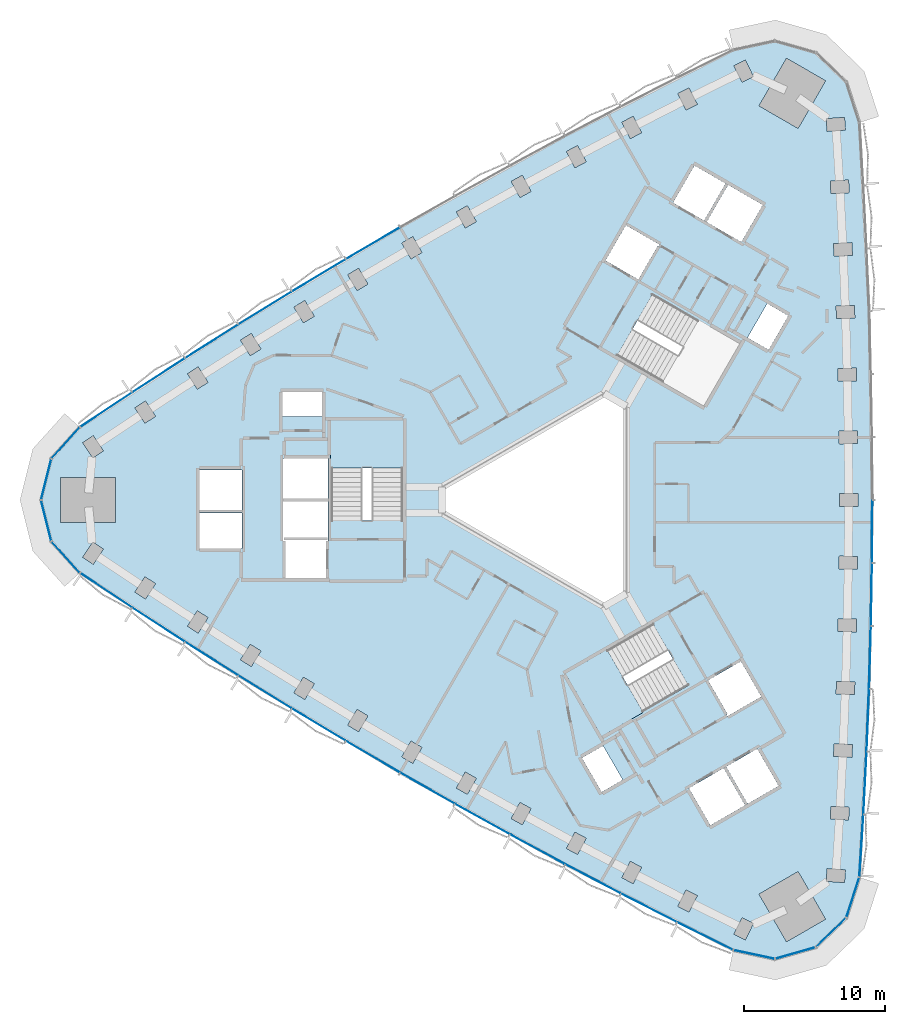
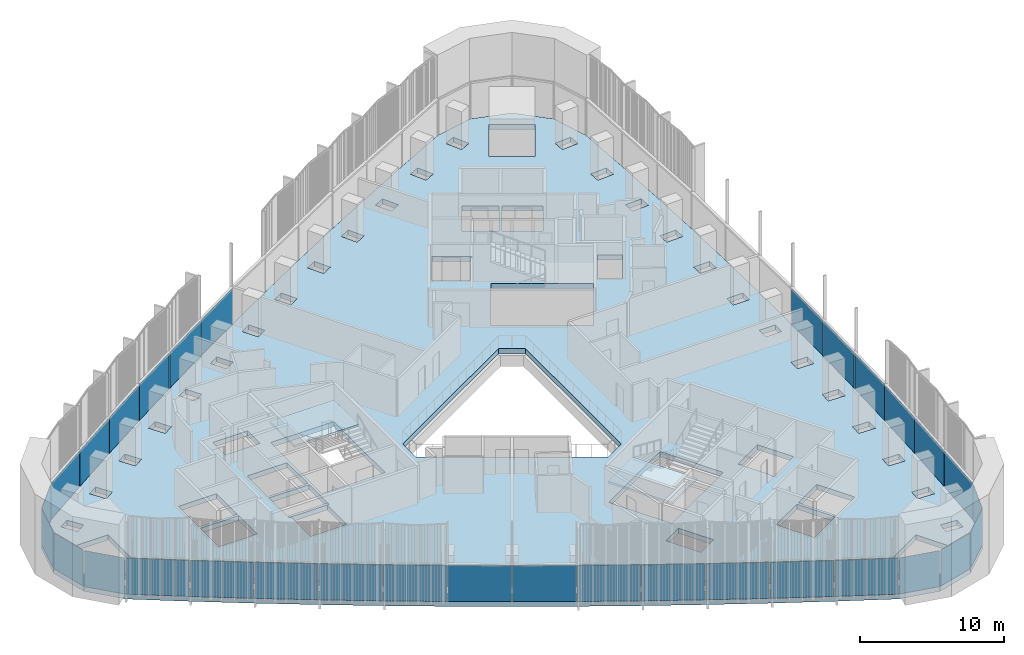
# One storey, part 6 of 15: 32 plates, 3 slabs, 5 elements without a shape of their own.
"""IFC4 building model written with IfcOpenShell, lengths in metres."""

from ifc_helpers import new_model, si_unit, direction, frame, origin, origin_2d, place, context, subcontext, project, spatial, polyline, rectangle, outline, extrude, material, layer, layer_set, type_object, element, aggregate, save


model = new_model("IFC4")

# Units and contexts
model_context = context("Model", 3, precision=1e-05, world=origin(), true_north=direction((0.0, 1.0)))
body_context = subcontext(model_context, "Body", "Model", "MODEL_VIEW")
ifc_project = project(units=[si_unit("LENGTHUNIT", "METRE"), si_unit("AREAUNIT", "SQUARE_METRE"), si_unit("VOLUMEUNIT", "CUBIC_METRE"), si_unit("PLANEANGLEUNIT", "RADIAN"), si_unit("MASSUNIT", "GRAM", prefix="KILO")], contexts=[model_context])

# Site, building, storey
site_placement = place(None, origin())
site = spatial("IfcSite", under=ifc_project, at=site_placement, CompositionType="ELEMENT")
building_placement = place(site_placement, origin())
building = spatial("IfcBuilding", under=site, at=building_placement, Name="Tamra Quay Hotel Tower", CompositionType="ELEMENT")
storey_placement = place(building_placement, frame((0.0, 0.0, 111.800048828125)))
storey = spatial("IfcBuildingStorey", under=building, at=storey_placement, Name="L27", CompositionType="ELEMENT", Elevation=111.800048828125)

# Stair, slab
ifc_material_1 = material(Name="Exit stair 2200 24 risers 150.0 going 342")
stair_type = type_object("IfcStairType", Name="Exit stair 2200 24 risers 150.0 going 342", PredefinedType="HALF_TURN_STAIR", material=ifc_material_1)
stair_1_placement = place(storey_placement, origin())
stair_1 = element("IfcStair", 1, at=stair_1_placement, inside=storey, type_object=stair_type, Name="L27 Exit stair ST3", PredefinedType="HALF_TURN_STAIR")
ifc_material_2 = material(Name="Concrete M70", Category="concrete")
ifc_layer_1 = layer(ifc_material_2, 0.175048828125)
ifc_layer_set_1 = layer_set([ifc_layer_1], Name="Concrete M70 stair landing 180")
slab_type_1 = type_object("IfcSlabType", Name="Concrete M70 stair landing 180", PredefinedType="LANDING", material=ifc_layer_set_1)
slab_1_placement = place(storey_placement, frame((0.0, 0.0, 1.625)))
slab_1 = element("IfcSlab", 2, at=slab_1_placement, type_object=slab_type_1, Name="ST3 landing 1", PredefinedType="LANDING", context=body_context, shape_type="SweptSolid", body=[
    extrude(outline(polyline([(-10.932373046875, 2.261962890625), (-10.932373046875, 5.679931640625), (-16.09130859375, 5.679931640625), (-16.09130859375, 2.261962890625), (-10.932373046875, 2.261962890625)])), origin(), (0.0, 0.0, 1.0), 0.175048828125),
])
aggregate(stair_1, [slab_1])

stair_2_placement = place(storey_placement, origin())
stair_2 = element("IfcStair", 3, at=stair_2_placement, inside=storey, type_object=stair_type, Name="L27 Exit stair ST2", PredefinedType="HALF_TURN_STAIR")
slab_2_placement = place(storey_placement, frame((0.0, 0.0, 1.625)))
slab_2 = element("IfcSlab", 4, at=slab_2_placement, type_object=slab_type_1, Name="ST2 landing 1", PredefinedType="LANDING", context=body_context, shape_type="SweptSolid", body=[
    extrude(outline(polyline([(3.50732421875, -10.5986328125), (0.547119140625, -12.3076171875), (3.126708984375, -16.775390625), (6.086669921875, -15.06640625), (3.50732421875, -10.5986328125)])), origin(), (0.0, 0.0, 1.0), 0.175048828125),
])
aggregate(stair_2, [slab_2])

# Slab
ifc_material_3 = material(Name="Concrete M60", Category="concrete")
ifc_layer_2 = layer(ifc_material_3, 0.425048828125)
ifc_layer_set_2 = layer_set([ifc_layer_2], Name="FLOOR SLAB PT 425")
slab_type_2 = type_object("IfcSlabType", Name="FLOOR SLAB PT 425", PredefinedType="FLOOR", material=ifc_layer_set_2)
slab_3_placement = place(storey_placement, frame((0.0, 0.0, -0.425048828125)))
element("IfcSlab", 5, at=slab_3_placement, inside=storey, type_object=slab_type_2, Name="SLAB-L27", PredefinedType="FLOOR", context=body_context, shape_type="SweptSolid", body=[
    extrude(outline(polyline([(21.696044921875, 22.307861328125), (21.92529296875, 17.849853515625), (22.103515625, 13.389404296875), (22.23095703125, 8.92724609375), (22.3076171875, 4.4638671875), (22.3330078125, 0.0), (22.3076171875, -4.4638671875), (22.23095703125, -8.92724609375), (22.103515625, -13.389404296875), (21.92529296875, -17.849853515625), (21.696044921875, -22.307861328125), (21.41650390625, -26.762451171875), (20.48779296875, -29.6328125), (18.31884765625, -31.729248046875), (15.418701171875, -32.559326171875), (12.46875, -31.928466796875), (8.47119140625, -29.943359375), (4.49560546875, -27.91259765625), (0.543701171875, -25.8369140625), (-3.38427734375, -23.71630859375), (-7.287841796875, -21.55078125), (-11.16650390625, -19.3408203125), (-15.01953125, -17.0869140625), (-18.8466796875, -14.7890625), (-22.647216796875, -12.447509765625), (-26.4208984375, -10.06298828125), (-30.167236328125, -7.635498046875), (-33.88525390625, -5.166015625), (-35.906494140625, -2.9267578125), (-36.6376953125, 0.0), (-35.906494140625, 2.9267578125), (-33.88525390625, 5.166015625), (-30.167236328125, 7.635498046875), (-26.4208984375, 10.06298828125), (-22.647216796875, 12.447509765625), (-18.8466796875, 14.7890625), (-15.01953125, 17.0869140625), (-11.16650390625, 19.3408203125), (-7.287841796875, 21.55078125), (-3.38427734375, 23.71630859375), (0.543701171875, 25.8369140625), (4.49560546875, 27.91259765625), (8.47119140625, 29.943359375), (12.46875, 31.928466796875), (15.418701171875, 32.559326171875), (18.31884765625, 31.729248046875), (20.48779296875, 29.6328125), (21.41650390625, 26.762451171875), (21.696044921875, 22.307861328125)]), holes=[polyline([(-14.884521484375, -15.9765625), (-14.1103515625, -16.435302734375), (-13.447509765625, -15.317138671875), (-14.2216796875, -14.858154296875), (-14.884521484375, -15.9765625)]), polyline([(-18.0234375, -12.569580078125), (-18.698974609375, -13.680419921875), (-17.929931640625, -14.14794921875), (-17.25439453125, -13.037353515625), (-18.0234375, -12.569580078125)]), polyline([(-21.798583984375, -10.23779296875), (-22.487060546875, -11.340576171875), (-21.723388671875, -11.817138671875), (-21.03515625, -10.714111328125), (-21.798583984375, -10.23779296875)]), polyline([(-25.547119140625, -7.86279296875), (-26.248046875, -8.9580078125), (-25.489990234375, -9.443115234375), (-24.789306640625, -8.34814453125), (-25.547119140625, -7.86279296875)]), polyline([(-29.268310546875, -5.445556640625), (-29.981689453125, -6.532470703125), (-29.229248046875, -7.026123046875), (-28.51611328125, -5.939453125), (-29.268310546875, -5.445556640625)]), polyline([(-16.3173828125, -2.85498046875), (-19.4072265625, -2.85498046875), (-19.4072265625, -2.89306640625), (-19.307373046875, -2.89306640625), (-19.307373046875, -5.544921875), (-16.417236328125, -5.544921875), (-16.417236328125, -2.89306640625), (-16.3173828125, -2.89306640625), (-16.3173828125, -2.85498046875)]), polyline([(-32.96240234375, -2.986083984375), (-33.6875, -4.06494140625), (-32.9404296875, -4.56689453125), (-32.215576171875, -3.488037109375), (-32.96240234375, -2.986083984375)]), polyline([(-22.3671875, -3.445068359375), (-22.3671875, -0.905029296875), (-25.4072265625, -0.905029296875), (-25.4072265625, -3.445068359375), (-22.3671875, -3.445068359375)]), polyline([(-19.417236328125, -2.89306640625), (-19.417236328125, -2.64501953125), (-16.307373046875, -2.64501953125), (-16.307373046875, -2.89306640625), (-16.26708984375, -2.89306640625), (-16.26708984375, -0.10498046875), (-19.45751953125, -0.10498046875), (-19.45751953125, -2.89306640625), (-19.417236328125, -2.89306640625)]), polyline([(-31.36376953125, 1.60009765625), (-35.263671875, 1.60009765625), (-35.263671875, -1.60009765625), (-31.36376953125, -1.60009765625), (-31.36376953125, 1.60009765625)]), polyline([(-25.4072265625, -0.695068359375), (-22.3671875, -0.695068359375), (-22.3671875, 2.14501953125), (-25.4072265625, 2.14501953125), (-25.4072265625, -0.695068359375)]), polyline([(-19.45751953125, 0.10498046875), (-16.26708984375, 0.10498046875), (-16.26708984375, 2.945068359375), (-19.45751953125, 2.945068359375), (-19.45751953125, 0.10498046875)]), polyline([(-16.036376953125, -1.455078125), (-10.9873046875, -1.455078125), (-10.9873046875, 5.625), (-16.036376953125, 5.625), (-16.036376953125, -1.455078125)]), polyline([(-32.215576171875, 3.488037109375), (-32.9404296875, 4.56689453125), (-33.6875, 4.06494140625), (-32.96240234375, 2.986083984375), (-32.215576171875, 3.488037109375)]), polyline([(-28.51611328125, 5.939453125), (-29.229248046875, 7.026123046875), (-29.981689453125, 6.532470703125), (-29.268310546875, 5.445556640625), (-28.51611328125, 5.939453125)]), polyline([(-19.50732421875, 7.64501953125), (-19.50732421875, 5.9150390625), (-16.71728515625, 5.9150390625), (-16.71728515625, 7.64501953125), (-19.50732421875, 7.64501953125)]), polyline([(-24.789306640625, 8.34814453125), (-25.489990234375, 9.443115234375), (-26.248046875, 8.9580078125), (-25.547119140625, 7.86279296875), (-24.789306640625, 8.34814453125)]), polyline([(-21.03515625, 10.714111328125), (-21.723388671875, 11.817138671875), (-22.487060546875, 11.340576171875), (-21.798583984375, 10.23779296875), (-21.03515625, 10.714111328125)]), polyline([(-17.25439453125, 13.037353515625), (-17.929931640625, 14.14794921875), (-18.698974609375, 13.680419921875), (-18.0234375, 12.569580078125), (-17.25439453125, 13.037353515625)]), polyline([(-13.447509765625, 15.317138671875), (-14.1103515625, 16.435302734375), (-14.884521484375, 15.9765625), (-14.2216796875, 14.858154296875), (-13.447509765625, 15.317138671875)]), polyline([(9.1142578125, -27.665283203125), (8.52978515625, -28.826416015625), (9.33349609375, -29.231201171875), (9.918212890625, -28.070068359375), (9.1142578125, -27.665283203125)]), polyline([(5.164794921875, -25.64208984375), (4.567138671875, -26.79638671875), (5.3662109375, -27.210205078125), (5.964111328125, -26.055908203125), (5.164794921875, -25.64208984375)]), polyline([(1.23876953125, -23.57421875), (0.627685546875, -24.721435546875), (1.422119140625, -25.14453125), (2.033203125, -23.9970703125), (1.23876953125, -23.57421875)]), polyline([(-2.663330078125, -21.46142578125), (-3.28759765625, -22.601806640625), (-2.498046875, -23.033935546875), (-1.873779296875, -21.8935546875), (-2.663330078125, -21.46142578125)]), polyline([(13.3056640625, -21.65576171875), (11.78564453125, -19.02294921875), (9.325927734375, -20.443115234375), (10.845947265625, -23.075927734375), (13.3056640625, -21.65576171875)]), polyline([(-6.541259765625, -19.304443359375), (-7.17822265625, -20.437744140625), (-6.393798828125, -20.878662109375), (-5.756591796875, -19.74560546875), (-6.541259765625, -19.304443359375)]), polyline([(1.73779296875, -18.300048828125), (3.1328125, -20.71630859375), (4.631103515625, -19.851318359375), (3.236083984375, -17.43505859375), (1.73779296875, -18.300048828125)]), polyline([(-10.394287109375, -17.103271484375), (-11.044189453125, -18.22900390625), (-10.264892578125, -18.67919921875), (-9.61474609375, -17.55322265625), (-10.394287109375, -17.103271484375)]), polyline([(10.68115234375, -12.790283203125), (12.05615234375, -15.171875), (11.969482421875, -15.2216796875), (12.03955078125, -15.343017578125), (14.455810546875, -13.947998046875), (13.0107421875, -11.4453125), (10.68115234375, -12.790283203125)]), polyline([(9.2783203125, -13.160400390625), (6.75390625, -8.78759765625), (0.622314453125, -12.32763671875), (3.146728515625, -16.7001953125), (9.2783203125, -13.160400390625)]), polyline([(-8.199951171875, 0.923828125), (-8.199951171875, -0.923828125), (3.300048828125, -7.563232421875), (4.89990234375, -6.639404296875), (4.89990234375, 6.639404296875), (3.300048828125, 7.563232421875), (-8.199951171875, 0.923828125)]), polyline([(6.758056640625, 14.615478515625), (4.2333984375, 10.242919921875), (10.364990234375, 6.702880859375), (12.889404296875, 11.075439453125), (6.758056640625, 14.615478515625)]), polyline([(5.736083984375, 15.645263671875), (7.111083984375, 18.02685546875), (7.19775390625, 17.976806640625), (7.267578125, 18.09814453125), (4.8515625, 19.4931640625), (3.406494140625, 16.990234375), (5.736083984375, 15.645263671875)]), polyline([(-9.61474609375, 17.55322265625), (-10.264892578125, 18.67919921875), (-11.044189453125, 18.22900390625), (-10.394287109375, 17.103271484375), (-9.61474609375, 17.55322265625)]), polyline([(-5.756591796875, 19.74560546875), (-6.393798828125, 20.878662109375), (-7.17822265625, 20.437744140625), (-6.541259765625, 19.304443359375), (-5.756591796875, 19.74560546875)]), polyline([(8.2001953125, 21.093017578125), (10.39990234375, 19.822998046875), (11.919921875, 22.455810546875), (9.72021484375, 23.725830078125), (8.2001953125, 21.093017578125)]), polyline([(-1.873779296875, 21.8935546875), (-2.498046875, 23.033935546875), (-3.28759765625, 22.601806640625), (-2.663330078125, 21.46142578125), (-1.873779296875, 21.8935546875)]), polyline([(2.033203125, 23.9970703125), (1.422119140625, 25.14453125), (0.627685546875, 24.721435546875), (1.23876953125, 23.57421875), (2.033203125, 23.9970703125)]), polyline([(5.964111328125, 26.055908203125), (5.3662109375, 27.210205078125), (4.567138671875, 26.79638671875), (5.164794921875, 25.64208984375), (5.964111328125, 26.055908203125)]), polyline([(9.918212890625, 28.070068359375), (9.33349609375, 29.231201171875), (8.52978515625, 28.826416015625), (9.1142578125, 27.665283203125), (9.918212890625, 28.070068359375)]), polyline([(13.0869140625, -29.643310546875), (12.51513671875, -30.810791015625), (13.323486328125, -31.206787109375), (13.895263671875, -30.039306640625), (13.0869140625, -29.643310546875)]), polyline([(14.296142578125, -27.9619140625), (16.24609375, -31.339111328125), (19.017333984375, -29.7392578125), (17.0673828125, -26.36181640625), (14.296142578125, -27.9619140625)]), polyline([(19.067138671875, -27.05322265625), (20.3642578125, -27.141845703125), (20.42529296875, -26.243896484375), (19.12841796875, -26.155517578125), (19.067138671875, -27.05322265625)]), polyline([(19.350341796875, -22.624267578125), (20.648193359375, -22.698486328125), (20.699462890625, -21.800048828125), (19.401611328125, -21.725830078125), (19.350341796875, -22.624267578125)]), polyline([(14.1669921875, -17.648193359375), (11.96728515625, -18.91796875), (13.487548828125, -21.55078125), (15.68701171875, -20.281005859375), (14.1669921875, -17.648193359375)]), polyline([(20.8818359375, -18.25244140625), (20.9228515625, -17.353515625), (19.624267578125, -17.2939453125), (19.5830078125, -18.193115234375), (20.8818359375, -18.25244140625)]), polyline([(19.765380859375, -13.75927734375), (21.064697265625, -13.803955078125), (21.095703125, -12.904541015625), (19.79638671875, -12.85986328125), (19.765380859375, -13.75927734375)]), polyline([(19.897216796875, -9.323974609375), (21.197021484375, -9.353759765625), (21.217529296875, -8.453857421875), (19.91796875, -8.424072265625), (19.897216796875, -9.323974609375)]), polyline([(19.978515625, -4.88720703125), (21.2783203125, -4.902099609375), (21.288818359375, -4.002197265625), (19.98876953125, -3.9873046875), (19.978515625, -4.88720703125)]), polyline([(20.009033203125, -0.449951171875), (21.30908203125, -0.449951171875), (21.30908203125, 0.449951171875), (20.009033203125, 0.449951171875), (20.009033203125, -0.449951171875)]), polyline([(19.98876953125, 3.9873046875), (21.288818359375, 4.002197265625), (21.2783203125, 4.902099609375), (19.978515625, 4.88720703125), (19.98876953125, 3.9873046875)]), polyline([(19.91796875, 8.424072265625), (21.217529296875, 8.453857421875), (21.197021484375, 9.353759765625), (19.897216796875, 9.323974609375), (19.91796875, 8.424072265625)]), polyline([(14.9794921875, 10.655029296875), (16.37451171875, 13.0712890625), (14.876220703125, 13.936279296875), (13.481201171875, 11.52001953125), (14.9794921875, 10.655029296875)]), polyline([(19.79638671875, 12.85986328125), (21.095703125, 12.904541015625), (21.064697265625, 13.803955078125), (19.765380859375, 13.75927734375), (19.79638671875, 12.85986328125)]), polyline([(19.624267578125, 17.2939453125), (20.9228515625, 17.353515625), (20.8818359375, 18.25244140625), (19.5830078125, 18.193115234375), (19.624267578125, 17.2939453125)]), polyline([(12.101806640625, 22.350830078125), (10.58154296875, 19.718017578125), (13.041259765625, 18.298095703125), (14.561279296875, 20.930908203125), (12.101806640625, 22.350830078125)]), polyline([(19.401611328125, 21.725830078125), (20.699462890625, 21.800048828125), (20.648193359375, 22.698486328125), (19.350341796875, 22.624267578125), (19.401611328125, 21.725830078125)]), polyline([(19.12841796875, 26.155517578125), (20.42529296875, 26.243896484375), (20.3642578125, 27.141845703125), (19.067138671875, 27.05322265625), (19.12841796875, 26.155517578125)]), polyline([(17.0673828125, 26.36181640625), (19.017333984375, 29.7392578125), (16.24609375, 31.339111328125), (14.296142578125, 27.9619140625), (17.0673828125, 26.36181640625)]), polyline([(13.895263671875, 30.039306640625), (13.323486328125, 31.206787109375), (12.51513671875, 30.810791015625), (13.0869140625, 29.643310546875), (13.895263671875, 30.039306640625)])]), origin(), (0.0, 0.0, 1.0), 0.425048828125),
])

# Curtain wall, plates
ifc_material_4 = material(Name="Aluminium 6063 anodised dark grey", Category="aluminium")
curtain_wall_type_1 = type_object("IfcCurtainWallType", Name="CW1 CURTAIN WALL", PredefinedType="NOTDEFINED", material=ifc_material_4)
curtain_wall_1_placement = place(storey_placement, origin())
curtain_wall_1 = element("IfcCurtainWall", 6, at=curtain_wall_1_placement, inside=storey, type_object=curtain_wall_type_1, Name="CW1 east face L27", PredefinedType="NOTDEFINED")
ifc_material_5 = material(Name="Glass clear laminated low-iron", Category="glass")
ifc_layer_3 = layer(ifc_material_5, 0.033935546875)
ifc_layer_set_3 = layer_set([ifc_layer_3], Name="GLASS PANEL CW1 Z2")
plate_type_1 = type_object("IfcPlateType", Name="GLASS PANEL CW1 Z2", PredefinedType="CURTAIN_PANEL", material=ifc_layer_set_3)
plate_1_placement = place(storey_placement, frame((21.556396484375, -24.53515625, 0.0), z_axis=(0.0, 0.0, 1.0), x_axis=(0.062670105733, 0.998034296929, 0.0)))
plate_1 = element("IfcPlate", 7, at=plate_1_placement, type_object=plate_type_1, Name="CW1 glass L27.E.1", PredefinedType="CURTAIN_PANEL", context=body_context, shape_type="SweptSolid", body=[
    extrude(rectangle(XDim=4.363525390625, YDim=0.033935546875, at=origin_2d()), origin(), (0.0, 0.0, 1.0), 3.034912109375),
])
plate_2_placement = place(storey_placement, frame((21.810791015625, -20.078857421875, 0.0), z_axis=(0.0, 0.0, 1.0), x_axis=(0.051320550821, 0.998682232276, 0.0)))
plate_2 = element("IfcPlate", 8, at=plate_2_placement, type_object=plate_type_1, Name="CW1 glass L27.E.2", PredefinedType="CURTAIN_PANEL", context=body_context, shape_type="SweptSolid", body=[
    extrude(rectangle(XDim=4.364013671875, YDim=0.033935546875, at=origin_2d()), origin(), (0.0, 0.0, 1.0), 3.034912109375),
])
plate_3_placement = place(storey_placement, frame((22.014404296875, -15.61962890625, 0.0), z_axis=(0.0, 0.0, 1.0), x_axis=(0.039943755239, 0.999201929751, 0.0)))
plate_3 = element("IfcPlate", 9, at=plate_3_placement, type_object=plate_type_1, Name="CW1 glass L27.E.3", PredefinedType="CURTAIN_PANEL", context=body_context, shape_type="SweptSolid", body=[
    extrude(rectangle(XDim=4.364013671875, YDim=0.033935546875, at=origin_2d()), origin(), (0.0, 0.0, 1.0), 3.034912109375),
])
plate_4_placement = place(storey_placement, frame((22.167236328125, -11.158203125, 0.0), z_axis=(0.0, 0.0, 1.0), x_axis=(0.028546238865, 0.999592473084, 0.0)))
plate_4 = element("IfcPlate", 10, at=plate_4_placement, type_object=plate_type_1, Name="CW1 glass L27.E.4", PredefinedType="CURTAIN_PANEL", context=body_context, shape_type="SweptSolid", body=[
    extrude(rectangle(XDim=4.364013671875, YDim=0.033935546875, at=origin_2d()), origin(), (0.0, 0.0, 1.0), 3.034912109375),
])
plate_5_placement = place(storey_placement, frame((22.269287109375, -6.695556640625, 0.0), z_axis=(0.0, 0.0, 1.0), x_axis=(0.017133900698, 0.999853203949, 0.0)))
plate_5 = element("IfcPlate", 11, at=plate_5_placement, type_object=plate_type_1, Name="CW1 glass L27.E.5", PredefinedType="CURTAIN_PANEL", context=body_context, shape_type="SweptSolid", body=[
    extrude(rectangle(XDim=4.364013671875, YDim=0.033935546875, at=origin_2d()), origin(), (0.0, 0.0, 1.0), 3.034912109375),
])
plate_6_placement = place(storey_placement, frame((22.3203125, -2.23193359375, 0.0), z_axis=(0.0, 0.0, 1.0), x_axis=(0.005712677225, 0.999983682526, 0.0)))
plate_6 = element("IfcPlate", 12, at=plate_6_placement, type_object=plate_type_1, Name="CW1 glass L27.E.6", PredefinedType="CURTAIN_PANEL", context=body_context, shape_type="SweptSolid", body=[
    extrude(rectangle(XDim=4.364013671875, YDim=0.033935546875, at=origin_2d()), origin(), (0.0, 0.0, 1.0), 3.034912109375),
])
aggregate(curtain_wall_1, [plate_1, plate_2, plate_3, plate_4, plate_5, plate_6])

curtain_wall_type_2 = type_object("IfcCurtainWallType", Name="CW2 CURTAIN WALL", PredefinedType="NOTDEFINED", material=ifc_material_4)
curtain_wall_2_placement = place(storey_placement, origin())
curtain_wall_2 = element("IfcCurtainWall", 13, at=curtain_wall_2_placement, inside=storey, type_object=curtain_wall_type_2, Name="CW2 north-west face L27", PredefinedType="NOTDEFINED")
ifc_layer_4 = layer(ifc_material_5, 0.033935546875)
ifc_layer_set_4 = layer_set([ifc_layer_4], Name="GLASS PANEL CW2 Z2")
plate_type_2 = type_object("IfcPlateType", Name="GLASS PANEL CW2 Z2", PredefinedType="CURTAIN_PANEL", material=ifc_layer_set_4)
plate_7_placement = place(storey_placement, frame((-13.093017578125, 18.2138671875, 0.0), z_axis=(0.0, 0.0, 1.0), x_axis=(-0.863154933825, -0.504939164863, 0.0)))
plate_7 = element("IfcPlate", 14, at=plate_7_placement, type_object=plate_type_2, Name="CW2 glass L27.NW.7", PredefinedType="CURTAIN_PANEL", context=body_context, shape_type="SweptSolid", body=[
    extrude(rectangle(XDim=4.364013671875, YDim=0.033935546875, at=origin_2d()), origin(), (0.0, 0.0, 1.0), 3.034912109375),
])
plate_8_placement = place(storey_placement, frame((-16.93310546875, 15.93798828125, 0.0), z_axis=(0.0, 0.0, 1.0), x_axis=(-0.857331324326, -0.514764995245, 0.0)))
plate_8 = element("IfcPlate", 15, at=plate_8_placement, type_object=plate_type_2, Name="CW2 glass L27.NW.8", PredefinedType="CURTAIN_PANEL", context=body_context, shape_type="SweptSolid", body=[
    extrude(rectangle(XDim=4.364013671875, YDim=0.033935546875, at=origin_2d()), origin(), (0.0, 0.0, 1.0), 3.034912109375),
])
plate_9_placement = place(storey_placement, frame((-20.7470703125, 13.6181640625, 0.0), z_axis=(0.0, 0.0, 1.0), x_axis=(-0.85139935569, -0.524518004582, 0.0)))
plate_9 = element("IfcPlate", 16, at=plate_9_placement, type_object=plate_type_2, Name="CW2 glass L27.NW.9", PredefinedType="CURTAIN_PANEL", context=body_context, shape_type="SweptSolid", body=[
    extrude(rectangle(XDim=4.364013671875, YDim=0.033935546875, at=origin_2d()), origin(), (0.0, 0.0, 1.0), 3.034912109375),
])
plate_10_placement = place(storey_placement, frame((-24.5341796875, 11.255126953125, 0.0), z_axis=(0.0, 0.0, 1.0), x_axis=(-0.845362377055, -0.534193271635, 0.0)))
plate_10 = element("IfcPlate", 17, at=plate_10_placement, type_object=plate_type_2, Name="CW2 glass L27.NW.10", PredefinedType="CURTAIN_PANEL", context=body_context, shape_type="SweptSolid", body=[
    extrude(rectangle(XDim=4.364013671875, YDim=0.033935546875, at=origin_2d()), origin(), (0.0, 0.0, 1.0), 3.034912109375),
])
plate_11_placement = place(storey_placement, frame((-28.294189453125, 8.84912109375, 0.0), z_axis=(0.0, 0.0, 1.0), x_axis=(-0.839223908048, -0.543786016885, 0.0)))
plate_11 = element("IfcPlate", 18, at=plate_11_placement, type_object=plate_type_2, Name="CW2 glass L27.NW.11", PredefinedType="CURTAIN_PANEL", context=body_context, shape_type="SweptSolid", body=[
    extrude(rectangle(XDim=4.364013671875, YDim=0.033935546875, at=origin_2d()), origin(), (0.0, 0.0, 1.0), 3.034912109375),
])
plate_12_placement = place(storey_placement, frame((-32.026123046875, 6.400634765625, 0.0), z_axis=(0.0, 0.0, 1.0), x_axis=(-0.832988002122, -0.553291052088, 0.0)))
plate_12 = element("IfcPlate", 19, at=plate_12_placement, type_object=plate_type_2, Name="CW2 glass L27.NW.12", PredefinedType="CURTAIN_PANEL", context=body_context, shape_type="SweptSolid", body=[
    extrude(rectangle(XDim=4.363525390625, YDim=0.033935546875, at=origin_2d()), origin(), (0.0, 0.0, 1.0), 3.034912109375),
])
plate_13_placement = place(storey_placement, frame((-34.89599609375, 4.04638671875, 0.0), z_axis=(0.0, 0.0, 1.0), x_axis=(-0.670087934649, -0.742281725383, 0.0)))
plate_13 = element("IfcPlate", 20, at=plate_13_placement, type_object=plate_type_2, Name="CW2 glass L27.NW.13", PredefinedType="CURTAIN_PANEL", context=body_context, shape_type="SweptSolid", body=[
    extrude(rectangle(XDim=2.916748046875, YDim=0.033935546875, at=origin_2d()), origin(), (0.0, 0.0, 1.0), 3.034912109375),
])
plate_14_placement = place(storey_placement, frame((-36.272216796875, 1.46337890625, 0.0), z_axis=(0.0, 0.0, 1.0), x_axis=(-0.242338764242, -0.970191694123, 0.0)))
plate_14 = element("IfcPlate", 21, at=plate_14_placement, type_object=plate_type_2, Name="CW2 glass L27.NW.14", PredefinedType="CURTAIN_PANEL", context=body_context, shape_type="SweptSolid", body=[
    extrude(rectangle(XDim=2.916748046875, YDim=0.033935546875, at=origin_2d()), origin(), (0.0, 0.0, 1.0), 3.034912109375),
])
plate_15_placement = place(storey_placement, frame((-36.272216796875, -1.46337890625, 0.0), z_axis=(0.0, 0.0, 1.0), x_axis=(0.242338764242, -0.970191694123, 0.0)))
plate_15 = element("IfcPlate", 22, at=plate_15_placement, type_object=plate_type_2, Name="CW2 glass L27.NW.15", PredefinedType="CURTAIN_PANEL", context=body_context, shape_type="SweptSolid", body=[
    extrude(rectangle(XDim=2.916748046875, YDim=0.033935546875, at=origin_2d()), origin(), (0.0, 0.0, 1.0), 3.034912109375),
])
plate_16_placement = place(storey_placement, frame((-34.89599609375, -4.04638671875, 0.0), z_axis=(0.0, 0.0, 1.0), x_axis=(0.670087934649, -0.742281725383, 0.0)))
plate_16 = element("IfcPlate", 23, at=plate_16_placement, type_object=plate_type_2, Name="CW2 glass L27.NW.16", PredefinedType="CURTAIN_PANEL", context=body_context, shape_type="SweptSolid", body=[
    extrude(rectangle(XDim=2.916748046875, YDim=0.033935546875, at=origin_2d()), origin(), (0.0, 0.0, 1.0), 3.034912109375),
])
aggregate(curtain_wall_2, [plate_7, plate_8, plate_9, plate_10, plate_11, plate_12, plate_13, plate_14, plate_15, plate_16])

curtain_wall_type_3 = type_object("IfcCurtainWallType", Name="CW3 CURTAIN WALL", PredefinedType="NOTDEFINED", material=ifc_material_4)
curtain_wall_3_placement = place(storey_placement, origin())
curtain_wall_3 = element("IfcCurtainWall", 24, at=curtain_wall_3_placement, inside=storey, type_object=curtain_wall_type_3, Name="CW3 south-west face L27", PredefinedType="NOTDEFINED")
ifc_layer_5 = layer(ifc_material_5, 0.033935546875)
ifc_layer_set_5 = layer_set([ifc_layer_5], Name="GLASS PANEL CW3 Z2")
plate_type_3 = type_object("IfcPlateType", Name="GLASS PANEL CW3 Z2", PredefinedType="CURTAIN_PANEL", material=ifc_layer_set_5)
plate_17_placement = place(storey_placement, frame((-32.026123046875, -6.400634765625, 0.0), z_axis=(0.0, 0.0, 1.0), x_axis=(0.832988002122, -0.553291052088, 0.0)))
plate_17 = element("IfcPlate", 25, at=plate_17_placement, type_object=plate_type_3, Name="CW3 glass L27.SW.1", PredefinedType="CURTAIN_PANEL", context=body_context, shape_type="SweptSolid", body=[
    extrude(rectangle(XDim=4.363525390625, YDim=0.033935546875, at=origin_2d()), origin(), (0.0, 0.0, 1.0), 3.034912109375),
])
plate_18_placement = place(storey_placement, frame((-28.294189453125, -8.84912109375, 0.0), z_axis=(0.0, 0.0, 1.0), x_axis=(0.839223908048, -0.543786016885, 0.0)))
plate_18 = element("IfcPlate", 26, at=plate_18_placement, type_object=plate_type_3, Name="CW3 glass L27.SW.2", PredefinedType="CURTAIN_PANEL", context=body_context, shape_type="SweptSolid", body=[
    extrude(rectangle(XDim=4.364013671875, YDim=0.033935546875, at=origin_2d()), origin(), (0.0, 0.0, 1.0), 3.034912109375),
])
plate_19_placement = place(storey_placement, frame((-24.5341796875, -11.255126953125, 0.0), z_axis=(0.0, 0.0, 1.0), x_axis=(0.845362377055, -0.534193271635, 0.0)))
plate_19 = element("IfcPlate", 27, at=plate_19_placement, type_object=plate_type_3, Name="CW3 glass L27.SW.3", PredefinedType="CURTAIN_PANEL", context=body_context, shape_type="SweptSolid", body=[
    extrude(rectangle(XDim=4.364013671875, YDim=0.033935546875, at=origin_2d()), origin(), (0.0, 0.0, 1.0), 3.034912109375),
])
plate_20_placement = place(storey_placement, frame((-20.7470703125, -13.6181640625, 0.0), z_axis=(0.0, 0.0, 1.0), x_axis=(0.85139935569, -0.524518004582, 0.0)))
plate_20 = element("IfcPlate", 28, at=plate_20_placement, type_object=plate_type_3, Name="CW3 glass L27.SW.4", PredefinedType="CURTAIN_PANEL", context=body_context, shape_type="SweptSolid", body=[
    extrude(rectangle(XDim=4.364013671875, YDim=0.033935546875, at=origin_2d()), origin(), (0.0, 0.0, 1.0), 3.034912109375),
])
plate_21_placement = place(storey_placement, frame((-16.93310546875, -15.93798828125, 0.0), z_axis=(0.0, 0.0, 1.0), x_axis=(0.857331324326, -0.514764995245, 0.0)))
plate_21 = element("IfcPlate", 29, at=plate_21_placement, type_object=plate_type_3, Name="CW3 glass L27.SW.5", PredefinedType="CURTAIN_PANEL", context=body_context, shape_type="SweptSolid", body=[
    extrude(rectangle(XDim=4.364013671875, YDim=0.033935546875, at=origin_2d()), origin(), (0.0, 0.0, 1.0), 3.034912109375),
])
plate_22_placement = place(storey_placement, frame((-13.093017578125, -18.2138671875, 0.0), z_axis=(0.0, 0.0, 1.0), x_axis=(0.863154933825, -0.504939164863, 0.0)))
plate_22 = element("IfcPlate", 30, at=plate_22_placement, type_object=plate_type_3, Name="CW3 glass L27.SW.6", PredefinedType="CURTAIN_PANEL", context=body_context, shape_type="SweptSolid", body=[
    extrude(rectangle(XDim=4.364013671875, YDim=0.033935546875, at=origin_2d()), origin(), (0.0, 0.0, 1.0), 3.034912109375),
])
plate_23_placement = place(storey_placement, frame((-9.227294921875, -20.44580078125, 0.0), z_axis=(0.0, 0.0, 1.0), x_axis=(0.86886761105, -0.495044517663, 0.0)))
plate_23 = element("IfcPlate", 31, at=plate_23_placement, type_object=plate_type_3, Name="CW3 glass L27.SW.7", PredefinedType="CURTAIN_PANEL", context=body_context, shape_type="SweptSolid", body=[
    extrude(rectangle(XDim=4.364013671875, YDim=0.033935546875, at=origin_2d()), origin(), (0.0, 0.0, 1.0), 3.034912109375),
])
plate_24_placement = place(storey_placement, frame((-5.336181640625, -22.633544921875, 0.0), z_axis=(0.0, 0.0, 1.0), x_axis=(0.874465225024, -0.485088208704, 0.0)))
plate_24 = element("IfcPlate", 32, at=plate_24_placement, type_object=plate_type_3, Name="CW3 glass L27.SW.8", PredefinedType="CURTAIN_PANEL", context=body_context, shape_type="SweptSolid", body=[
    extrude(rectangle(XDim=4.364013671875, YDim=0.033935546875, at=origin_2d()), origin(), (0.0, 0.0, 1.0), 3.034912109375),
])
plate_25_placement = place(storey_placement, frame((-1.420166015625, -24.776611328125, 0.0), z_axis=(0.0, 0.0, 1.0), x_axis=(0.879945594555, -0.475074468502, 0.0)))
plate_25 = element("IfcPlate", 33, at=plate_25_placement, type_object=plate_type_3, Name="CW3 glass L27.SW.9", PredefinedType="CURTAIN_PANEL", context=body_context, shape_type="SweptSolid", body=[
    extrude(rectangle(XDim=4.364013671875, YDim=0.033935546875, at=origin_2d()), origin(), (0.0, 0.0, 1.0), 3.034912109375),
])
plate_26_placement = place(storey_placement, frame((2.519775390625, -26.874755859375, 0.0), z_axis=(0.0, 0.0, 1.0), x_axis=(0.885306132294, -0.465008658116, 0.0)))
plate_26 = element("IfcPlate", 34, at=plate_26_placement, type_object=plate_type_3, Name="CW3 glass L27.SW.10", PredefinedType="CURTAIN_PANEL", context=body_context, shape_type="SweptSolid", body=[
    extrude(rectangle(XDim=4.364013671875, YDim=0.033935546875, at=origin_2d()), origin(), (0.0, 0.0, 1.0), 3.034912109375),
])
plate_27_placement = place(storey_placement, frame((6.4833984375, -28.927978515625, 0.0), z_axis=(0.0, 0.0, 1.0), x_axis=(0.89054445887, -0.454896215391, 0.0)))
plate_27 = element("IfcPlate", 35, at=plate_27_placement, type_object=plate_type_3, Name="CW3 glass L27.SW.11", PredefinedType="CURTAIN_PANEL", context=body_context, shape_type="SweptSolid", body=[
    extrude(rectangle(XDim=4.364013671875, YDim=0.033935546875, at=origin_2d()), origin(), (0.0, 0.0, 1.0), 3.034912109375),
])
plate_28_placement = place(storey_placement, frame((10.469970703125, -30.935791015625, 0.0), z_axis=(0.0, 0.0, 1.0), x_axis=(0.895658107856, -0.444743244842, 0.0)))
plate_28 = element("IfcPlate", 36, at=plate_28_placement, type_object=plate_type_3, Name="CW3 glass L27.SW.12", PredefinedType="CURTAIN_PANEL", context=body_context, shape_type="SweptSolid", body=[
    extrude(rectangle(XDim=4.363525390625, YDim=0.033935546875, at=origin_2d()), origin(), (0.0, 0.0, 1.0), 3.034912109375),
])
plate_29_placement = place(storey_placement, frame((13.94384765625, -32.243896484375, 0.0), z_axis=(0.0, 0.0, 1.0), x_axis=(0.977878798271, -0.209172311484, 0.0)))
plate_29 = element("IfcPlate", 37, at=plate_29_placement, type_object=plate_type_3, Name="CW3 glass L27.SW.13", PredefinedType="CURTAIN_PANEL", context=body_context, shape_type="SweptSolid", body=[
    extrude(rectangle(XDim=2.916748046875, YDim=0.033935546875, at=origin_2d()), origin(), (0.0, 0.0, 1.0), 3.034912109375),
])
plate_30_placement = place(storey_placement, frame((16.868896484375, -32.144287109375, 0.0), z_axis=(0.0, 0.0, 1.0), x_axis=(0.961380035772, 0.275224320906, 0.0)))
plate_30 = element("IfcPlate", 38, at=plate_30_placement, type_object=plate_type_3, Name="CW3 glass L27.SW.14", PredefinedType="CURTAIN_PANEL", context=body_context, shape_type="SweptSolid", body=[
    extrude(rectangle(XDim=2.916748046875, YDim=0.033935546875, at=origin_2d()), origin(), (0.0, 0.0, 1.0), 3.034912109375),
])
plate_31_placement = place(storey_placement, frame((19.4033203125, -30.680908203125, 0.0), z_axis=(0.0, 0.0, 1.0), x_axis=(0.71904127153, 0.694967373217, 0.0)))
plate_31 = element("IfcPlate", 39, at=plate_31_placement, type_object=plate_type_3, Name="CW3 glass L27.SW.15", PredefinedType="CURTAIN_PANEL", context=body_context, shape_type="SweptSolid", body=[
    extrude(rectangle(XDim=2.916748046875, YDim=0.033935546875, at=origin_2d()), origin(), (0.0, 0.0, 1.0), 3.034912109375),
])
plate_32_placement = place(storey_placement, frame((20.9521484375, -28.197509765625, 0.0), z_axis=(0.0, 0.0, 1.0), x_axis=(0.307790863622, 0.951454036867, 0.0)))
plate_32 = element("IfcPlate", 40, at=plate_32_placement, type_object=plate_type_3, Name="CW3 glass L27.SW.16", PredefinedType="CURTAIN_PANEL", context=body_context, shape_type="SweptSolid", body=[
    extrude(rectangle(XDim=2.916748046875, YDim=0.033935546875, at=origin_2d()), origin(), (0.0, 0.0, 1.0), 3.034912109375),
])
aggregate(curtain_wall_3, [plate_17, plate_18, plate_19, plate_20, plate_21, plate_22, plate_23, plate_24, plate_25, plate_26, plate_27, plate_28, plate_29, plate_30, plate_31, plate_32])

save(model, "model.ifc")
